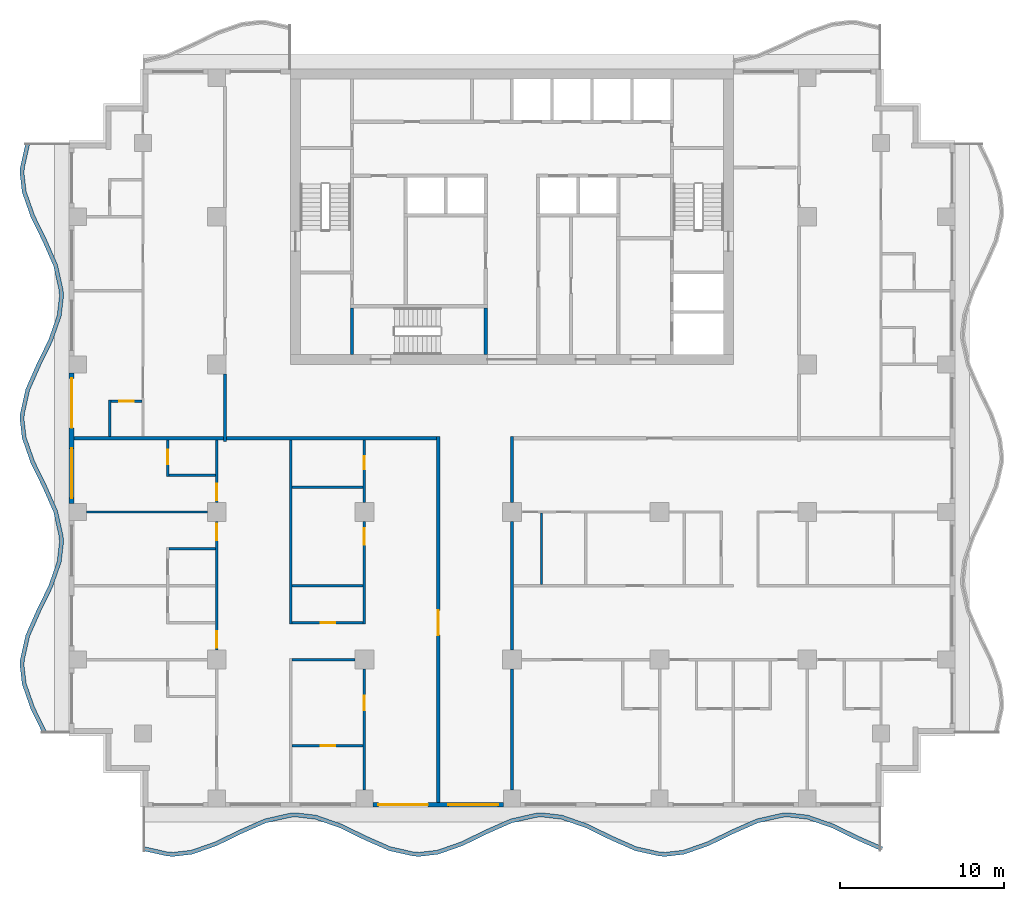
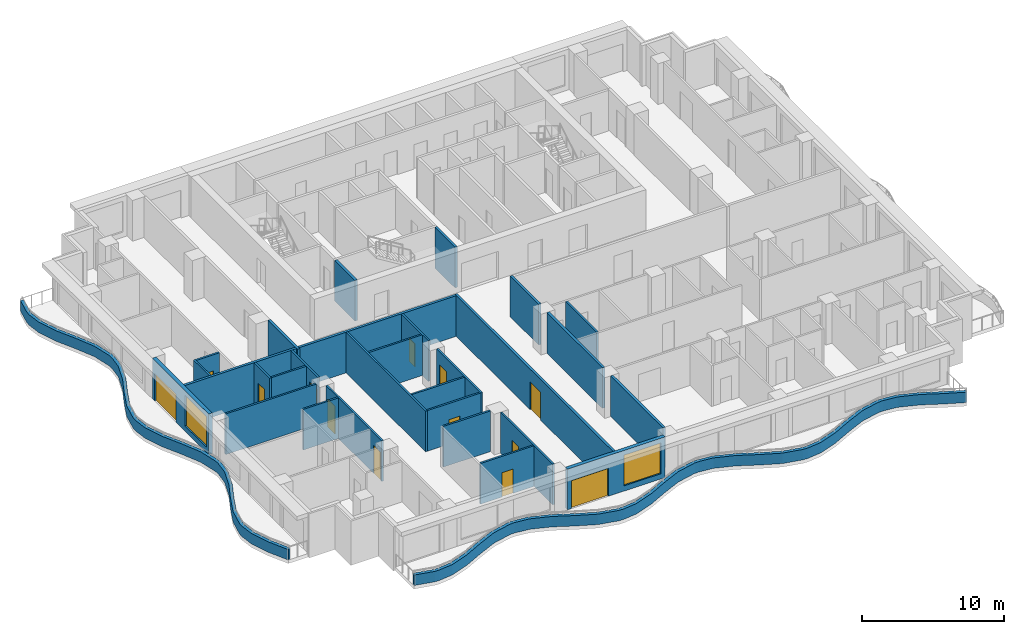
# One storey, part 2 of 11: 31 walls, 13 doors, 2 windows, 15 openings.
"""IFC4 building model written with IfcOpenShell, lengths in metres."""

from ifc_helpers import new_model, si_unit, direction, frame, frame_2d, origin, place, context, subcontext, project, spatial, polyline, rectangle, outline, extrude, material, layer, layer_set, type_object, element, fill, save


model = new_model("IFC4")

# Units and contexts
model_context = context("Model", 3, precision=1e-05, world=origin(), true_north=direction((0.0, 1.0)))
body_context = subcontext(model_context, "Body", "Model", "MODEL_VIEW")
ifc_project = project(units=[si_unit("LENGTHUNIT", "METRE"), si_unit("AREAUNIT", "SQUARE_METRE"), si_unit("VOLUMEUNIT", "CUBIC_METRE"), si_unit("PLANEANGLEUNIT", "RADIAN"), si_unit("MASSUNIT", "GRAM", prefix="KILO")], contexts=[model_context])

# Site, building, storey
site_placement = place(None, origin())
site = spatial("IfcSite", under=ifc_project, at=site_placement, CompositionType="ELEMENT")
building_placement = place(site_placement, origin())
building = spatial("IfcBuilding", under=site, at=building_placement, Name="Orbiselva Terraces", CompositionType="ELEMENT")
storey_placement = place(building_placement, frame((0.0, 0.0, 184.4)))
storey = spatial("IfcBuildingStorey", under=building, at=storey_placement, Name="L46", CompositionType="ELEMENT", Elevation=184.4)

# Walls
ifc_material_1 = material(Name="Concrete C60/75", Category="concrete")
ifc_layer_1 = layer(ifc_material_1, 0.2)
ifc_layer_set_1 = layer_set([ifc_layer_1], Name="Concrete C60/75")
wall_type_1 = type_object("IfcWallType", Name="CORE-WALL-SHEAR-200", PredefinedType="SHEAR", material=ifc_layer_set_1)
for number, where, z_axis, x_axis, name in (
    (1, (-9.75, 5.1, 0.0), (0.0, 0.0, 1.0), (0.0, 1.0, 0.0), "L46 core wall 03"),
    (2, (-1.6, 5.1, 0.0), (0.0, 0.0, 1.0), (0.0, 1.0, 0.0), "L46 core wall 17"),
):
    element("IfcWall", number, at=place(storey_placement, frame(where, z_axis=z_axis, x_axis=x_axis)), inside=storey, type_object=wall_type_1, Name=name, PredefinedType="SHEAR", context=body_context, shape_type="SweptSolid", body=[
        extrude(rectangle(XDim=2.85, YDim=0.2, at=frame_2d((1.425, 0.0))), origin(), (0.0, 0.0, 1.0), 3.5),
    ])
ifc_material_2 = material(Name="Concrete C40/50", Category="concrete")
ifc_layer_2 = layer(ifc_material_2, 0.25)
ifc_layer_set_2 = layer_set([ifc_layer_2], Name="Concrete C40/50")
wall_type_2 = type_object("IfcWallType", Name="ENV-PLANTER-250x900", PredefinedType="USERDEFINED", material=ifc_layer_set_2)
wall_1_placement = place(storey_placement, origin())
element("IfcWall", 3, at=wall_1_placement, inside=storey, type_object=wall_type_2, Name="Balcony planter L46 S", ObjectType="PLANTER", PredefinedType="USERDEFINED", context=body_context, shape_type="SweptSolid", body=[
    extrude(outline(polyline([(-22.5, -25.148528), (-21.0, -25.485226), (-20.625, -25.5), (-19.5, -25.369208), (-18.0, -24.844789), (-16.5, -24.112279), (-15.0, -23.451472), (-13.5, -23.114774), (-13.125, -23.1), (-12.0, -23.230792), (-10.5, -23.755211), (-9.0, -24.487721), (-7.5, -25.148528), (-6.0, -25.485226), (-5.625, -25.5), (-4.5, -25.369208), (-3.0, -24.844789), (-1.5, -24.112279), (0.0, -23.451472), (1.5, -23.114774), (1.875, -23.1), (3.0, -23.230792), (4.5, -23.755211), (6.0, -24.487721), (7.5, -25.148528), (9.0, -25.485226), (9.375, -25.5), (10.5, -25.369208), (12.0, -24.844789), (13.5, -24.112279), (15.0, -23.451472), (16.5, -23.114774), (16.875, -23.1), (18.0, -23.230792), (19.5, -23.755211), (21.0, -24.487721), (22.5, -25.148528), (22.600788, -24.919745), (21.105286, -24.260919), (19.59644, -23.524089), (18.056371, -22.985662), (16.884572, -22.849429), (16.467435, -22.865863), (14.921492, -23.212874), (13.394714, -23.885477), (11.90356, -24.613667), (10.443629, -25.124078), (9.365428, -25.249429), (9.032565, -25.236315), (7.578508, -24.90993), (6.105286, -24.260919), (4.59644, -23.524089), (3.056371, -22.985662), (1.884572, -22.849429), (1.467435, -22.865863), (-0.078508, -23.212874), (-1.605286, -23.885477), (-3.09644, -24.613667), (-4.556371, -25.124078), (-5.634572, -25.249429), (-5.967435, -25.236315), (-7.421492, -24.90993), (-8.894714, -24.260919), (-10.40356, -23.524089), (-11.943629, -22.985662), (-13.115428, -22.849429), (-13.532565, -22.865863), (-15.078508, -23.212874), (-16.605286, -23.885477), (-18.09644, -24.613667), (-19.556371, -25.124078), (-20.634572, -25.249429), (-20.967435, -25.236315), (-22.445246, -24.904598), (-22.5, -25.148528)])), origin(), (0.0, 0.0, 1.0), 0.9),
])
wall_2_placement = place(storey_placement, origin())
element("IfcWall", 4, at=wall_2_placement, inside=storey, type_object=wall_type_2, Name="Balcony planter L46 W", ObjectType="PLANTER", PredefinedType="USERDEFINED", context=body_context, shape_type="SweptSolid", body=[
    extrude(outline(polyline([(-29.648528, 18.0), (-29.985226, 16.5), (-30.0, 16.125), (-29.869208, 15.0), (-29.344789, 13.5), (-28.612279, 12.0), (-27.951472, 10.5), (-27.614774, 9.0), (-27.6, 8.625), (-27.730792, 7.5), (-28.255211, 6.0), (-28.987721, 4.5), (-29.648528, 3.0), (-29.985226, 1.5), (-30.0, 1.125), (-29.869208, 0.0), (-29.344789, -1.5), (-28.612279, -3.0), (-27.951472, -4.5), (-27.614774, -6.0), (-27.6, -6.375), (-27.730792, -7.5), (-28.255211, -9.0), (-28.987721, -10.5), (-29.648528, -12.0), (-29.985226, -13.5), (-30.0, -13.875), (-29.869208, -15.0), (-29.344789, -16.5), (-28.612279, -18.0), (-28.387634, -17.890297), (-29.113667, -16.40356), (-29.624078, -14.943629), (-29.749429, -13.865428), (-29.736315, -13.532565), (-29.40993, -12.078508), (-28.760919, -10.605286), (-28.024089, -9.09644), (-27.485662, -7.556371), (-27.349429, -6.384572), (-27.365863, -5.967435), (-27.712874, -4.421492), (-28.385477, -2.894714), (-29.113667, -1.40356), (-29.624078, 0.056371), (-29.749429, 1.134572), (-29.736315, 1.467435), (-29.40993, 2.921492), (-28.760919, 4.394714), (-28.024089, 5.90356), (-27.485662, 7.443629), (-27.349429, 8.615428), (-27.365863, 9.032565), (-27.712874, 10.578508), (-28.385477, 12.105286), (-29.113667, 13.59644), (-29.624078, 15.056371), (-29.749429, 16.134572), (-29.736315, 16.467435), (-29.404598, 17.945246), (-29.648528, 18.0)])), origin(), (0.0, 0.0, 1.0), 0.9),
])

# Wall, openings, door, window
ifc_material_3 = material(Name="Terracotta cladding on masonry backing", Category="masonry")
ifc_layer_3 = layer(ifc_material_3, 0.3)
ifc_layer_set_3 = layer_set([ifc_layer_3], Name="Terracotta cladding on masonry backing")
wall_type_3 = type_object("IfcWallType", Name="ENV-WALL-TERRACOTTA-300", PredefinedType="SOLIDWALL", material=ifc_layer_set_3)
wall_3_placement = place(storey_placement, frame((-0.525, -22.35, 0.0), z_axis=(0.0, 0.0, 1.0), x_axis=(-1.0, 0.0, 0.0)))
wall_3 = element("IfcWall", 5, at=wall_3_placement, inside=storey, type_object=wall_type_3, Name="Facade wall L46 S", PredefinedType="SOLIDWALL", context=body_context, shape_type="SweptSolid", body=[
    extrude(rectangle(XDim=7.95, YDim=0.3, at=frame_2d((3.975, 0.0))), origin(), (0.0, 0.0, 1.0), 3.5),
])
opening_1_placement = place(wall_3_placement, frame((4.6, 0.0, 0.0)))
opening_1 = element("IfcOpeningElement", 6, at=opening_1_placement, cuts=wall_3, Name="Opening Z4-A-E02", PredefinedType="OPENING", context=body_context, shape_type="SweptSolid", body=[
    extrude(rectangle(XDim=3.025, YDim=2.4, at=frame_2d((1.5125, 1.2))), frame((0.0, 0.16, 0.0), z_axis=(0.0, -1.0, 0.0), x_axis=(1.0, 0.0, 0.0)), (0.0, 0.0, 1.0), 0.32),
])
opening_2_placement = place(wall_3_placement, frame((0.325, 0.0, 0.45)))
opening_2 = element("IfcOpeningElement", 7, at=opening_2_placement, cuts=wall_3, Name="Opening WN14", PredefinedType="OPENING", context=body_context, shape_type="SweptSolid", body=[
    extrude(rectangle(XDim=3.025, YDim=2.65, at=frame_2d((1.5125, 1.325))), frame((0.0, 0.16, 0.0), z_axis=(0.0, -1.0, 0.0), x_axis=(1.0, 0.0, 0.0)), (0.0, 0.0, 1.0), 0.32),
])
ifc_material_4 = material(Name="Clear low-e glazing in aluminium frame", Category="aluminium")
door_type_1 = type_object("IfcDoorType", Name="BALCONY DOOR 3025 X 2400", OperationType="DOUBLE_DOOR_SLIDING", PredefinedType="DOOR", material=ifc_material_4)
door_1_placement = place(opening_1_placement, origin())
door_1 = element("IfcDoor", 8, at=door_1_placement, inside=storey, type_object=door_type_1, Name="Z4-A-E02", OperationType="SINGLE_SWING_LEFT", OverallHeight=2.4, OverallWidth=3.025, PredefinedType="DOOR", context=body_context, shape_type="SweptSolid", body=[
    extrude(rectangle(XDim=3.025, YDim=2.4, at=frame_2d((1.5125, 1.2))), frame((0.0, 0.025, 0.0), z_axis=(0.0, -1.0, 0.0), x_axis=(1.0, 0.0, 0.0)), (0.0, 0.0, 1.0), 0.05),
])
fill(opening_1, door_1)
window_type = type_object("IfcWindowType", Name="WINDOW 3025 X 2650 S450", PartitioningType="TRIPLE_PANEL_VERTICAL", PredefinedType="WINDOW", material=ifc_material_4)
window_1_placement = place(opening_2_placement, origin())
window_1 = element("IfcWindow", 9, at=window_1_placement, inside=storey, type_object=window_type, Name="Window L46 S", OverallHeight=2.65, OverallWidth=3.025, PartitioningType="SINGLE_PANEL", PredefinedType="WINDOW", context=body_context, shape_type="SweptSolid", body=[
    extrude(rectangle(XDim=3.025, YDim=2.65, at=frame_2d((1.5125, 1.325))), frame((0.0, 0.03, 0.0), z_axis=(0.0, -1.0, 0.0), x_axis=(1.0, 0.0, 0.0)), (0.0, 0.0, 1.0), 0.06),
])
fill(opening_2, window_1)

wall_4_placement = place(storey_placement, frame((-26.85, -3.975, 0.0), z_axis=(0.0, 0.0, 1.0), x_axis=(0.0, 1.0, 0.0)))
wall_4 = element("IfcWall", 10, at=wall_4_placement, inside=storey, type_object=wall_type_3, Name="Facade wall L46 W", PredefinedType="SOLIDWALL", context=body_context, shape_type="SweptSolid", body=[
    extrude(rectangle(XDim=7.95, YDim=0.3, at=frame_2d((3.975, 0.0))), origin(), (0.0, 0.0, 1.0), 3.5),
])
opening_3_placement = place(wall_4_placement, frame((4.6, 0.0, 0.0)))
opening_3 = element("IfcOpeningElement", 11, at=opening_3_placement, cuts=wall_4, Name="Opening Z4-A-E12", PredefinedType="OPENING", context=body_context, shape_type="SweptSolid", body=[
    extrude(rectangle(XDim=3.025, YDim=2.4, at=frame_2d((1.5125, 1.2))), frame((0.0, 0.16, 0.0), z_axis=(0.0, -1.0, 0.0), x_axis=(1.0, 0.0, 0.0)), (0.0, 0.0, 1.0), 0.32),
])
opening_4_placement = place(wall_4_placement, frame((0.325, 0.0, 0.45)))
opening_4 = element("IfcOpeningElement", 12, at=opening_4_placement, cuts=wall_4, Name="Opening WN14", PredefinedType="OPENING", context=body_context, shape_type="SweptSolid", body=[
    extrude(rectangle(XDim=3.025, YDim=2.65, at=frame_2d((1.5125, 1.325))), frame((0.0, 0.16, 0.0), z_axis=(0.0, -1.0, 0.0), x_axis=(1.0, 0.0, 0.0)), (0.0, 0.0, 1.0), 0.32),
])
door_2_placement = place(opening_3_placement, origin())
door_2 = element("IfcDoor", 13, at=door_2_placement, inside=storey, type_object=door_type_1, Name="Z4-A-E12", OperationType="SINGLE_SWING_LEFT", OverallHeight=2.4, OverallWidth=3.025, PredefinedType="DOOR", context=body_context, shape_type="SweptSolid", body=[
    extrude(rectangle(XDim=3.025, YDim=2.4, at=frame_2d((1.5125, 1.2))), frame((0.0, 0.025, 0.0), z_axis=(0.0, -1.0, 0.0), x_axis=(1.0, 0.0, 0.0)), (0.0, 0.0, 1.0), 0.05),
])
fill(opening_3, door_2)
window_2_placement = place(opening_4_placement, origin())
window_2 = element("IfcWindow", 14, at=window_2_placement, inside=storey, type_object=window_type, Name="Window L46 W", OverallHeight=2.65, OverallWidth=3.025, PartitioningType="SINGLE_PANEL", PredefinedType="WINDOW", context=body_context, shape_type="SweptSolid", body=[
    extrude(rectangle(XDim=3.025, YDim=2.65, at=frame_2d((1.5125, 1.325))), frame((0.0, 0.03, 0.0), z_axis=(0.0, -1.0, 0.0), x_axis=(1.0, 0.0, 0.0)), (0.0, 0.0, 1.0), 0.06),
])
fill(opening_4, window_2)

# Walls
ifc_material_5 = material(Name="Plasterboard on steel stud partition", Category="steel")
ifc_layer_4 = layer(ifc_material_5, 0.2)
ifc_layer_set_4 = layer_set([ifc_layer_4], Name="Plasterboard on steel stud partition")
wall_type_4 = type_object("IfcWallType", Name="UNIT-ENTRANCE-WALL-200", PredefinedType="PARTITIONING", material=ifc_layer_set_4)
wall_5_placement = place(storey_placement, frame((-17.4, 0.0, 0.0), z_axis=(0.0, 0.0, 1.0), x_axis=(1.0, 0.0, 0.0)))
element("IfcWall", 15, at=wall_5_placement, inside=storey, type_object=wall_type_4, Name="PARTITION L46-027", PredefinedType="PARTITIONING", context=body_context, shape_type="SweptSolid", body=[
    extrude(rectangle(XDim=12.8, YDim=0.2, at=frame_2d((6.4, 0.0))), origin(), (0.0, 0.0, 1.0), 3.5),
])
wall_6_placement = place(storey_placement, frame((-17.5, -0.2, 0.0), z_axis=(0.0, 0.0, 1.0), x_axis=(0.0, 1.0, 0.0)))
element("IfcWall", 16, at=wall_6_placement, inside=storey, type_object=wall_type_4, Name="PARTITION L46-050", PredefinedType="PARTITIONING", context=body_context, shape_type="SweptSolid", body=[
    extrude(rectangle(XDim=4.125, YDim=0.2, at=frame_2d((2.0625, 0.0))), origin(), (0.0, 0.0, 1.0), 3.5),
])

# Wall, opening, door
wall_7_placement = place(storey_placement, frame((-4.5, -22.2, 0.0), z_axis=(0.0, 0.0, 1.0), x_axis=(0.0, 1.0, 0.0)))
wall_7 = element("IfcWall", 17, at=wall_7_placement, inside=storey, type_object=wall_type_4, Name="PARTITION L46-058", PredefinedType="PARTITIONING", context=body_context, shape_type="SweptSolid", body=[
    extrude(rectangle(XDim=22.3, YDim=0.2, at=frame_2d((11.15, 0.0))), origin(), (0.0, 0.0, 1.0), 3.5),
])
opening_5_placement = place(wall_7_placement, frame((10.2, 0.0, 0.0)))
opening_5 = element("IfcOpeningElement", 18, at=opening_5_placement, cuts=wall_7, Name="Opening Z4-A-14", PredefinedType="OPENING", context=body_context, shape_type="SweptSolid", body=[
    extrude(rectangle(XDim=1.5, YDim=2.4, at=frame_2d((0.75, 1.2))), frame((0.0, 0.11, 0.0), z_axis=(0.0, -1.0, 0.0), x_axis=(1.0, 0.0, 0.0)), (0.0, 0.0, 1.0), 0.22),
])
ifc_material_6 = material(Name="Painted timber door leaf", Category="wood")
door_type_2 = type_object("IfcDoorType", Name="ENTRANCE DOUBLE DOOR 1500", OperationType="NOTDEFINED", PredefinedType="DOOR", material=ifc_material_6)
door_3_placement = place(opening_5_placement, origin())
door_3 = element("IfcDoor", 19, at=door_3_placement, inside=storey, type_object=door_type_2, Name="Z4-A-14", OperationType="DOUBLE_DOOR_SINGLE_SWING", OverallHeight=2.4, OverallWidth=1.5, PredefinedType="DOOR", context=body_context, shape_type="SweptSolid", body=[
    extrude(rectangle(XDim=1.5, YDim=2.4, at=frame_2d((0.75, 1.2))), frame((0.0, 0.025, 0.0), z_axis=(0.0, -1.0, 0.0), x_axis=(1.0, 0.0, 0.0)), (0.0, 0.0, 1.0), 0.05),
])
fill(opening_5, door_3)

# Walls
wall_8_placement = place(storey_placement, frame((0.0, -21.45, 0.0), z_axis=(0.0, 0.0, 1.0), x_axis=(0.0, 1.0, 0.0)))
element("IfcWall", 20, at=wall_8_placement, inside=storey, type_object=wall_type_4, Name="PARTITION L46-059", PredefinedType="PARTITIONING", context=body_context, shape_type="SweptSolid", body=[
    extrude(rectangle(XDim=7.375, YDim=0.2, at=frame_2d((3.6875, 0.0))), origin(), (0.0, 0.0, 1.0), 3.5),
])
wall_9_placement = place(storey_placement, frame((0.0, -12.925, 0.0), z_axis=(0.0, 0.0, 1.0), x_axis=(0.0, 1.0, 0.0)))
element("IfcWall", 21, at=wall_9_placement, inside=storey, type_object=wall_type_4, Name="PARTITION L46-060", PredefinedType="PARTITIONING", context=body_context, shape_type="SweptSolid", body=[
    extrude(rectangle(XDim=7.85, YDim=0.2, at=frame_2d((3.925, 0.0))), origin(), (0.0, 0.0, 1.0), 3.5),
])
wall_10_placement = place(storey_placement, frame((0.0, -3.925, 0.0), z_axis=(0.0, 0.0, 1.0), x_axis=(0.0, 1.0, 0.0)))
element("IfcWall", 22, at=wall_10_placement, inside=storey, type_object=wall_type_4, Name="PARTITION L46-061", PredefinedType="PARTITIONING", context=body_context, shape_type="SweptSolid", body=[
    extrude(rectangle(XDim=4.025, YDim=0.2, at=frame_2d((2.0125, 0.0))), origin(), (0.0, 0.0, 1.0), 3.5),
])

# Wall, opening, door
ifc_layer_5 = layer(ifc_material_5, 0.15)
ifc_layer_set_5 = layer_set([ifc_layer_5], Name="Plasterboard on steel stud partition")
wall_type_5 = type_object("IfcWallType", Name="UNIT-PARTITION-150", PredefinedType="PARTITIONING", material=ifc_layer_set_5)
wall_11_placement = place(storey_placement, frame((-9.075, -18.75, 0.0), z_axis=(0.0, 0.0, 1.0), x_axis=(-1.0, 0.0, 0.0)))
wall_11 = element("IfcWall", 23, at=wall_11_placement, inside=storey, type_object=wall_type_5, Name="PARTITION L46-001", PredefinedType="PARTITIONING", context=body_context, shape_type="SweptSolid", body=[
    extrude(rectangle(XDim=4.35, YDim=0.15, at=frame_2d((2.175, 0.0))), origin(), (0.0, 0.0, 1.0), 3.5),
])
opening_6_placement = place(wall_11_placement, frame((1.7, 0.0, 0.0)))
opening_6 = element("IfcOpeningElement", 24, at=opening_6_placement, cuts=wall_11, Name="Opening Z4-A-19", PredefinedType="OPENING", context=body_context, shape_type="SweptSolid", body=[
    extrude(rectangle(XDim=0.9, YDim=2.1, at=frame_2d((0.45, 1.05))), frame((0.0, 0.085, 0.0), z_axis=(0.0, -1.0, 0.0), x_axis=(1.0, 0.0, 0.0)), (0.0, 0.0, 1.0), 0.17),
])
door_type_3 = type_object("IfcDoorType", Name="BATH DOOR 900", OperationType="NOTDEFINED", PredefinedType="DOOR", material=ifc_material_6)
door_4_placement = place(opening_6_placement, origin())
door_4 = element("IfcDoor", 25, at=door_4_placement, inside=storey, type_object=door_type_3, Name="Z4-A-19", OperationType="SINGLE_SWING_LEFT", OverallHeight=2.1, OverallWidth=0.9, PredefinedType="DOOR", context=body_context, shape_type="SweptSolid", body=[
    extrude(rectangle(XDim=0.9, YDim=2.1, at=frame_2d((0.45, 1.05))), frame((0.0, 0.025, 0.0), z_axis=(0.0, -1.0, 0.0), x_axis=(1.0, 0.0, 0.0)), (0.0, 0.0, 1.0), 0.05),
])
fill(opening_6, door_4)

# Wall
wall_12_placement = place(storey_placement, frame((-13.425, -13.5, 0.0), z_axis=(0.0, 0.0, 1.0), x_axis=(1.0, 0.0, 0.0)))
element("IfcWall", 26, at=wall_12_placement, inside=storey, type_object=wall_type_5, Name="PARTITION L46-008", PredefinedType="PARTITIONING", context=body_context, shape_type="SweptSolid", body=[
    extrude(rectangle(XDim=3.85, YDim=0.15, at=frame_2d((1.925, 0.0))), origin(), (0.0, 0.0, 1.0), 3.5),
])

# Wall, opening, door
wall_13_placement = place(storey_placement, frame((-13.425, -11.25, 0.0), z_axis=(0.0, 0.0, 1.0), x_axis=(1.0, 0.0, 0.0)))
wall_13 = element("IfcWall", 27, at=wall_13_placement, inside=storey, type_object=wall_type_5, Name="PARTITION L46-013", PredefinedType="PARTITIONING", context=body_context, shape_type="SweptSolid", body=[
    extrude(rectangle(XDim=4.35, YDim=0.15, at=frame_2d((2.175, 0.0))), origin(), (0.0, 0.0, 1.0), 3.5),
])
opening_7_placement = place(wall_13_placement, frame((1.75, 0.0, 0.0)))
opening_7 = element("IfcOpeningElement", 28, at=opening_7_placement, cuts=wall_13, Name="Opening Z4-A-17", PredefinedType="OPENING", context=body_context, shape_type="SweptSolid", body=[
    extrude(rectangle(XDim=0.9, YDim=2.1, at=frame_2d((0.45, 1.05))), frame((0.0, 0.085, 0.0), z_axis=(0.0, -1.0, 0.0), x_axis=(1.0, 0.0, 0.0)), (0.0, 0.0, 1.0), 0.17),
])
door_5_placement = place(opening_7_placement, origin())
door_5 = element("IfcDoor", 29, at=door_5_placement, inside=storey, type_object=door_type_3, Name="Z4-A-17", OperationType="SINGLE_SWING_RIGHT", OverallHeight=2.1, OverallWidth=0.9, PredefinedType="DOOR", context=body_context, shape_type="SweptSolid", body=[
    extrude(rectangle(XDim=0.9, YDim=2.1, at=frame_2d((0.45, 1.05))), frame((0.0, 0.025, 0.0), z_axis=(0.0, -1.0, 0.0), x_axis=(1.0, 0.0, 0.0)), (0.0, 0.0, 1.0), 0.05),
])
fill(opening_7, door_5)

# Walls
wall_14_placement = place(storey_placement, frame((-13.425, -9.0, 0.0), z_axis=(0.0, 0.0, 1.0), x_axis=(1.0, 0.0, 0.0)))
element("IfcWall", 30, at=wall_14_placement, inside=storey, type_object=wall_type_5, Name="PARTITION L46-016", PredefinedType="PARTITIONING", context=body_context, shape_type="SweptSolid", body=[
    extrude(rectangle(XDim=4.35, YDim=0.15, at=frame_2d((2.175, 0.0))), origin(), (0.0, 0.0, 1.0), 3.5),
])
wall_15_placement = place(storey_placement, frame((-20.925, -6.75, 0.0), z_axis=(0.0, 0.0, 1.0), x_axis=(1.0, 0.0, 0.0)))
element("IfcWall", 31, at=wall_15_placement, inside=storey, type_object=wall_type_5, Name="PARTITION L46-019", PredefinedType="PARTITIONING", context=body_context, shape_type="SweptSolid", body=[
    extrude(rectangle(XDim=2.85, YDim=0.15, at=frame_2d((1.425, 0.0))), origin(), (0.0, 0.0, 1.0), 3.5),
])
wall_16_placement = place(storey_placement, frame((-25.95, -4.5, 0.0), z_axis=(0.0, 0.0, 1.0), x_axis=(1.0, 0.0, 0.0)))
element("IfcWall", 32, at=wall_16_placement, inside=storey, type_object=wall_type_5, Name="PARTITION L46-020", PredefinedType="PARTITIONING", context=body_context, shape_type="SweptSolid", body=[
    extrude(rectangle(XDim=7.375, YDim=0.15, at=frame_2d((3.6875, 0.0))), origin(), (0.0, 0.0, 1.0), 3.5),
])
wall_17_placement = place(storey_placement, frame((-13.425, -3.0, 0.0), z_axis=(0.0, 0.0, 1.0), x_axis=(1.0, 0.0, 0.0)))
element("IfcWall", 33, at=wall_17_placement, inside=storey, type_object=wall_type_5, Name="PARTITION L46-025", PredefinedType="PARTITIONING", context=body_context, shape_type="SweptSolid", body=[
    extrude(rectangle(XDim=4.35, YDim=0.15, at=frame_2d((2.175, 0.0))), origin(), (0.0, 0.0, 1.0), 3.5),
])
wall_18_placement = place(storey_placement, frame((-20.925, -2.25, 0.0), z_axis=(0.0, 0.0, 1.0), x_axis=(1.0, 0.0, 0.0)))
element("IfcWall", 34, at=wall_18_placement, inside=storey, type_object=wall_type_5, Name="PARTITION L46-026", PredefinedType="PARTITIONING", context=body_context, shape_type="SweptSolid", body=[
    extrude(rectangle(XDim=2.85, YDim=0.15, at=frame_2d((1.425, 0.0))), origin(), (0.0, 0.0, 1.0), 3.5),
])

# Wall, opening, door
wall_19_placement = place(storey_placement, frame((-22.575, 2.25, 0.0), z_axis=(0.0, 0.0, 1.0), x_axis=(-1.0, 0.0, 0.0)))
wall_19 = element("IfcWall", 35, at=wall_19_placement, inside=storey, type_object=wall_type_5, Name="PARTITION L46-031", PredefinedType="PARTITIONING", context=body_context, shape_type="SweptSolid", body=[
    extrude(rectangle(XDim=1.875, YDim=0.15, at=frame_2d((0.9375, 0.0))), origin(), (0.0, 0.0, 1.0), 3.5),
])
opening_8_placement = place(wall_19_placement, frame((0.475, 0.0, 0.0)))
opening_8 = element("IfcOpeningElement", 36, at=opening_8_placement, cuts=wall_19, Name="Opening Z4-A-04", PredefinedType="OPENING", context=body_context, shape_type="SweptSolid", body=[
    extrude(rectangle(XDim=0.9, YDim=2.1, at=frame_2d((0.45, 1.05))), frame((0.0, 0.085, 0.0), z_axis=(0.0, -1.0, 0.0), x_axis=(1.0, 0.0, 0.0)), (0.0, 0.0, 1.0), 0.17),
])
door_6_placement = place(opening_8_placement, origin())
door_6 = element("IfcDoor", 37, at=door_6_placement, inside=storey, type_object=door_type_3, Name="Z4-A-04", OperationType="SINGLE_SWING_LEFT", OverallHeight=2.1, OverallWidth=0.9, PredefinedType="DOOR", context=body_context, shape_type="SweptSolid", body=[
    extrude(rectangle(XDim=0.9, YDim=2.1, at=frame_2d((0.45, 1.05))), frame((0.0, 0.025, 0.0), z_axis=(0.0, -1.0, 0.0), x_axis=(1.0, 0.0, 0.0)), (0.0, 0.0, 1.0), 0.05),
])
fill(opening_8, door_6)

# Wall
wall_20_placement = place(storey_placement, frame((-24.525, 0.1, 0.0), z_axis=(0.0, 0.0, 1.0), x_axis=(0.0, 1.0, 0.0)))
element("IfcWall", 38, at=wall_20_placement, inside=storey, type_object=wall_type_5, Name="PARTITION L46-040", PredefinedType="PARTITIONING", context=body_context, shape_type="SweptSolid", body=[
    extrude(rectangle(XDim=2.225, YDim=0.15, at=frame_2d((1.1125, 0.0))), origin(), (0.0, 0.0, 1.0), 3.5),
])

# Wall, opening, door
wall_21_placement = place(storey_placement, frame((-21.0, -0.1, 0.0), z_axis=(0.0, 0.0, 1.0), x_axis=(0.0, -1.0, 0.0)))
wall_21 = element("IfcWall", 39, at=wall_21_placement, inside=storey, type_object=wall_type_5, Name="PARTITION L46-046", PredefinedType="PARTITIONING", context=body_context, shape_type="SweptSolid", body=[
    extrude(rectangle(XDim=2.225, YDim=0.15, at=frame_2d((1.1125, 0.0))), origin(), (0.0, 0.0, 1.0), 3.5),
])
opening_9_placement = place(wall_21_placement, frame((0.6, 0.0, 0.0)))
opening_9 = element("IfcOpeningElement", 40, at=opening_9_placement, cuts=wall_21, Name="Opening Z4-A-21", PredefinedType="OPENING", context=body_context, shape_type="SweptSolid", body=[
    extrude(rectangle(XDim=0.9, YDim=2.1, at=frame_2d((0.45, 1.05))), frame((0.0, 0.085, 0.0), z_axis=(0.0, -1.0, 0.0), x_axis=(1.0, 0.0, 0.0)), (0.0, 0.0, 1.0), 0.17),
])
door_7_placement = place(opening_9_placement, origin())
door_7 = element("IfcDoor", 41, at=door_7_placement, inside=storey, type_object=door_type_3, Name="Z4-A-21", OperationType="SINGLE_SWING_LEFT", OverallHeight=2.1, OverallWidth=0.9, PredefinedType="DOOR", context=body_context, shape_type="SweptSolid", body=[
    extrude(rectangle(XDim=0.9, YDim=2.1, at=frame_2d((0.45, 1.05))), frame((0.0, 0.025, 0.0), z_axis=(0.0, -1.0, 0.0), x_axis=(1.0, 0.0, 0.0)), (0.0, 0.0, 1.0), 0.05),
])
fill(opening_9, door_7)

# Wall, openings, doors
wall_22_placement = place(storey_placement, frame((-18.0, -12.925, 0.0), z_axis=(0.0, 0.0, 1.0), x_axis=(0.0, 1.0, 0.0)))
wall_22 = element("IfcWall", 42, at=wall_22_placement, inside=storey, type_object=wall_type_5, Name="PARTITION L46-048", PredefinedType="PARTITIONING", context=body_context, shape_type="SweptSolid", body=[
    extrude(rectangle(XDim=7.85, YDim=0.15, at=frame_2d((3.925, 0.0))), origin(), (0.0, 0.0, 1.0), 3.5),
])
opening_10_placement = place(wall_22_placement, frame((6.7, 0.0, 0.0)))
opening_10 = element("IfcOpeningElement", 43, at=opening_10_placement, cuts=wall_22, Name="Opening Z4-A-22", PredefinedType="OPENING", context=body_context, shape_type="SweptSolid", body=[
    extrude(rectangle(XDim=1.0, YDim=2.4, at=frame_2d((0.5, 1.2))), frame((0.0, 0.085, 0.0), z_axis=(0.0, -1.0, 0.0), x_axis=(1.0, 0.0, 0.0)), (0.0, 0.0, 1.0), 0.17),
])
opening_11_placement = place(wall_22_placement, frame((0.15, 0.0, 0.0)))
opening_11 = element("IfcOpeningElement", 44, at=opening_11_placement, cuts=wall_22, Name="Opening Z4-A-24", PredefinedType="OPENING", context=body_context, shape_type="SweptSolid", body=[
    extrude(rectangle(XDim=1.0, YDim=2.4, at=frame_2d((0.5, 1.2))), frame((0.0, 0.085, 0.0), z_axis=(0.0, -1.0, 0.0), x_axis=(1.0, 0.0, 0.0)), (0.0, 0.0, 1.0), 0.17),
])
door_type_4 = type_object("IfcDoorType", Name="ROOM DOOR 1000", OperationType="NOTDEFINED", PredefinedType="DOOR", material=ifc_material_6)
door_8_placement = place(opening_10_placement, origin())
door_8 = element("IfcDoor", 45, at=door_8_placement, inside=storey, type_object=door_type_4, Name="Z4-A-22", OperationType="SINGLE_SWING_RIGHT", OverallHeight=2.4, OverallWidth=1.0, PredefinedType="DOOR", context=body_context, shape_type="SweptSolid", body=[
    extrude(rectangle(XDim=1.0, YDim=2.4, at=frame_2d((0.5, 1.2))), frame((0.0, 0.025, 0.0), z_axis=(0.0, -1.0, 0.0), x_axis=(1.0, 0.0, 0.0)), (0.0, 0.0, 1.0), 0.05),
])
fill(opening_10, door_8)
door_9_placement = place(opening_11_placement, origin())
door_9 = element("IfcDoor", 46, at=door_9_placement, inside=storey, type_object=door_type_4, Name="Z4-A-24", OperationType="SINGLE_SWING_LEFT", OverallHeight=2.4, OverallWidth=1.0, PredefinedType="DOOR", context=body_context, shape_type="SweptSolid", body=[
    extrude(rectangle(XDim=1.0, YDim=2.4, at=frame_2d((0.5, 1.2))), frame((0.0, 0.025, 0.0), z_axis=(0.0, -1.0, 0.0), x_axis=(1.0, 0.0, 0.0)), (0.0, 0.0, 1.0), 0.05),
])
fill(opening_11, door_9)

# Wall, opening, door
wall_23_placement = place(storey_placement, frame((-18.0, -3.925, 0.0), z_axis=(0.0, 0.0, 1.0), x_axis=(0.0, 1.0, 0.0)))
wall_23 = element("IfcWall", 47, at=wall_23_placement, inside=storey, type_object=wall_type_5, Name="PARTITION L46-049", PredefinedType="PARTITIONING", context=body_context, shape_type="SweptSolid", body=[
    extrude(rectangle(XDim=3.825, YDim=0.15, at=frame_2d((1.9125, 0.0))), origin(), (0.0, 0.0, 1.0), 3.5),
])
opening_12_placement = place(wall_23_placement, frame((0.15, 0.0, 0.0)))
opening_12 = element("IfcOpeningElement", 48, at=opening_12_placement, cuts=wall_23, Name="Opening Z4-A-20", PredefinedType="OPENING", context=body_context, shape_type="SweptSolid", body=[
    extrude(rectangle(XDim=1.0, YDim=2.4, at=frame_2d((0.5, 1.2))), frame((0.0, 0.085, 0.0), z_axis=(0.0, -1.0, 0.0), x_axis=(1.0, 0.0, 0.0)), (0.0, 0.0, 1.0), 0.17),
])
door_10_placement = place(opening_12_placement, origin())
door_10 = element("IfcDoor", 49, at=door_10_placement, inside=storey, type_object=door_type_4, Name="Z4-A-20", OperationType="SINGLE_SWING_LEFT", OverallHeight=2.4, OverallWidth=1.0, PredefinedType="DOOR", context=body_context, shape_type="SweptSolid", body=[
    extrude(rectangle(XDim=1.0, YDim=2.4, at=frame_2d((0.5, 1.2))), frame((0.0, 0.025, 0.0), z_axis=(0.0, -1.0, 0.0), x_axis=(1.0, 0.0, 0.0)), (0.0, 0.0, 1.0), 0.05),
])
fill(opening_12, door_10)

# Wall
wall_24_placement = place(storey_placement, frame((-13.5, -11.325, 0.0), z_axis=(0.0, 0.0, 1.0), x_axis=(0.0, 1.0, 0.0)))
element("IfcWall", 50, at=wall_24_placement, inside=storey, type_object=wall_type_5, Name="PARTITION L46-054", PredefinedType="PARTITIONING", context=body_context, shape_type="SweptSolid", body=[
    extrude(rectangle(XDim=11.225, YDim=0.15, at=frame_2d((5.6125, 0.0))), origin(), (0.0, 0.0, 1.0), 3.5),
])

# Wall, opening, door
wall_25_placement = place(storey_placement, frame((-9.0, -21.45, 0.0), z_axis=(0.0, 0.0, 1.0), x_axis=(0.0, 1.0, 0.0)))
wall_25 = element("IfcWall", 51, at=wall_25_placement, inside=storey, type_object=wall_type_5, Name="PARTITION L46-055", PredefinedType="PARTITIONING", context=body_context, shape_type="SweptSolid", body=[
    extrude(rectangle(XDim=7.375, YDim=0.15, at=frame_2d((3.6875, 0.0))), origin(), (0.0, 0.0, 1.0), 3.5),
])
opening_13_placement = place(wall_25_placement, frame((4.85, 0.0, 0.0)))
opening_13 = element("IfcOpeningElement", 52, at=opening_13_placement, cuts=wall_25, Name="Opening Z4-A-18", PredefinedType="OPENING", context=body_context, shape_type="SweptSolid", body=[
    extrude(rectangle(XDim=0.9, YDim=2.1, at=frame_2d((0.45, 1.05))), frame((0.0, 0.085, 0.0), z_axis=(0.0, -1.0, 0.0), x_axis=(1.0, 0.0, 0.0)), (0.0, 0.0, 1.0), 0.17),
])
door_type_5 = type_object("IfcDoorType", Name="SERVICE DOOR 900", OperationType="NOTDEFINED", PredefinedType="DOOR", material=ifc_material_6)
door_11_placement = place(opening_13_placement, origin())
door_11 = element("IfcDoor", 53, at=door_11_placement, inside=storey, type_object=door_type_5, Name="Z4-A-18", OperationType="SINGLE_SWING_RIGHT", OverallHeight=2.1, OverallWidth=0.9, PredefinedType="DOOR", context=body_context, shape_type="SweptSolid", body=[
    extrude(rectangle(XDim=0.9, YDim=2.1, at=frame_2d((0.45, 1.05))), frame((0.0, 0.025, 0.0), z_axis=(0.0, -1.0, 0.0), x_axis=(1.0, 0.0, 0.0)), (0.0, 0.0, 1.0), 0.05),
])
fill(opening_13, door_11)

wall_26_placement = place(storey_placement, frame((-9.0, -11.325, 0.0), z_axis=(0.0, 0.0, 1.0), x_axis=(0.0, 1.0, 0.0)))
wall_26 = element("IfcWall", 54, at=wall_26_placement, inside=storey, type_object=wall_type_5, Name="PARTITION L46-056", PredefinedType="PARTITIONING", context=body_context, shape_type="SweptSolid", body=[
    extrude(rectangle(XDim=6.25, YDim=0.15, at=frame_2d((3.125, 0.0))), origin(), (0.0, 0.0, 1.0), 3.5),
])
opening_14_placement = place(wall_26_placement, frame((4.825, 0.0, 0.0)))
opening_14 = element("IfcOpeningElement", 55, at=opening_14_placement, cuts=wall_26, Name="Opening Z4-A-16", PredefinedType="OPENING", context=body_context, shape_type="SweptSolid", body=[
    extrude(rectangle(XDim=1.0, YDim=2.4, at=frame_2d((0.5, 1.2))), frame((0.0, 0.085, 0.0), z_axis=(0.0, -1.0, 0.0), x_axis=(1.0, 0.0, 0.0)), (0.0, 0.0, 1.0), 0.17),
])
door_12_placement = place(opening_14_placement, origin())
door_12 = element("IfcDoor", 56, at=door_12_placement, inside=storey, type_object=door_type_4, Name="Z4-A-16", OperationType="SINGLE_SWING_RIGHT", OverallHeight=2.4, OverallWidth=1.0, PredefinedType="DOOR", context=body_context, shape_type="SweptSolid", body=[
    extrude(rectangle(XDim=1.0, YDim=2.4, at=frame_2d((0.5, 1.2))), frame((0.0, 0.025, 0.0), z_axis=(0.0, -1.0, 0.0), x_axis=(1.0, 0.0, 0.0)), (0.0, 0.0, 1.0), 0.05),
])
fill(opening_14, door_12)

wall_27_placement = place(storey_placement, frame((-9.0, -3.925, 0.0), z_axis=(0.0, 0.0, 1.0), x_axis=(0.0, 1.0, 0.0)))
wall_27 = element("IfcWall", 57, at=wall_27_placement, inside=storey, type_object=wall_type_5, Name="PARTITION L46-057", PredefinedType="PARTITIONING", context=body_context, shape_type="SweptSolid", body=[
    extrude(rectangle(XDim=3.825, YDim=0.15, at=frame_2d((1.9125, 0.0))), origin(), (0.0, 0.0, 1.0), 3.5),
])
opening_15_placement = place(wall_27_placement, frame((2.025, 0.0, 0.0)))
opening_15 = element("IfcOpeningElement", 58, at=opening_15_placement, cuts=wall_27, Name="Opening Z4-A-15", PredefinedType="OPENING", context=body_context, shape_type="SweptSolid", body=[
    extrude(rectangle(XDim=0.8, YDim=2.0, at=frame_2d((0.4, 1.0))), frame((0.0, 0.085, 0.0), z_axis=(0.0, -1.0, 0.0), x_axis=(1.0, 0.0, 0.0)), (0.0, 0.0, 1.0), 0.17),
])
door_type_6 = type_object("IfcDoorType", Name="STORE DOOR 800", OperationType="NOTDEFINED", PredefinedType="DOOR", material=ifc_material_6)
door_13_placement = place(opening_15_placement, origin())
door_13 = element("IfcDoor", 59, at=door_13_placement, inside=storey, type_object=door_type_6, Name="Z4-A-15", OperationType="SINGLE_SWING_RIGHT", OverallHeight=2.0, OverallWidth=0.8, PredefinedType="DOOR", context=body_context, shape_type="SweptSolid", body=[
    extrude(rectangle(XDim=0.8, YDim=2.0, at=frame_2d((0.4, 1.0))), frame((0.0, 0.025, 0.0), z_axis=(0.0, -1.0, 0.0), x_axis=(1.0, 0.0, 0.0)), (0.0, 0.0, 1.0), 0.05),
])
fill(opening_15, door_13)

# Walls
wall_28_placement = place(storey_placement, frame((1.8, -8.925, 0.0), z_axis=(0.0, 0.0, 1.0), x_axis=(0.0, 1.0, 0.0)))
element("IfcWall", 60, at=wall_28_placement, inside=storey, type_object=wall_type_5, Name="PARTITION L46-062", PredefinedType="PARTITIONING", context=body_context, shape_type="SweptSolid", body=[
    extrude(rectangle(XDim=4.35, YDim=0.15, at=frame_2d((2.175, 0.0))), origin(), (0.0, 0.0, 1.0), 3.5),
])
ifc_layer_6 = layer(ifc_material_5, 0.2)
ifc_layer_set_6 = layer_set([ifc_layer_6], Name="Plasterboard on steel stud partition")
wall_type_6 = type_object("IfcWallType", Name="UNIT-PARTY-WALL-200", PredefinedType="PARTITIONING", material=ifc_layer_set_6)
wall_29_placement = place(storey_placement, frame((-26.7, 0.0, 0.0), z_axis=(0.0, 0.0, 1.0), x_axis=(1.0, 0.0, 0.0)))
element("IfcWall", 61, at=wall_29_placement, inside=storey, type_object=wall_type_6, Name="PARTITION L46-029", PredefinedType="PARTITIONING", context=body_context, shape_type="SweptSolid", body=[
    extrude(rectangle(XDim=9.1, YDim=0.2, at=frame_2d((4.55, 0.0))), origin(), (0.0, 0.0, 1.0), 3.5),
])

save(model, "model.ifc")
